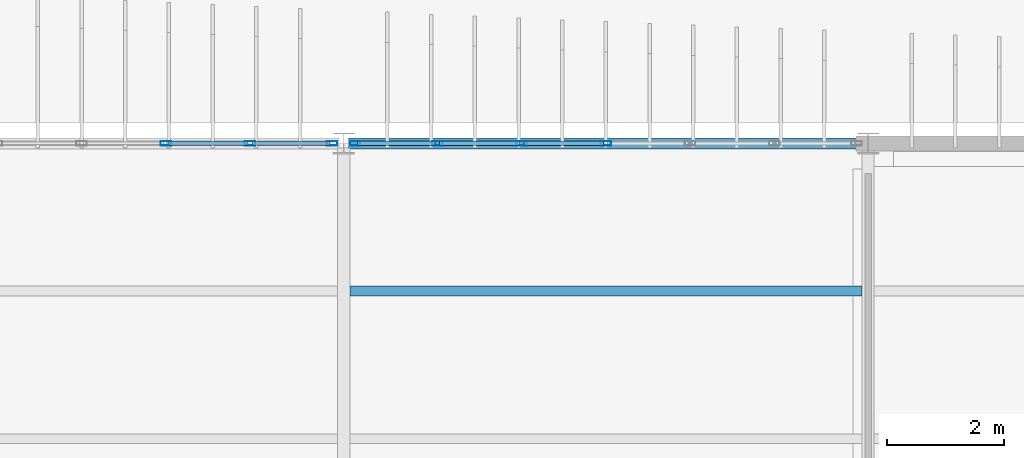
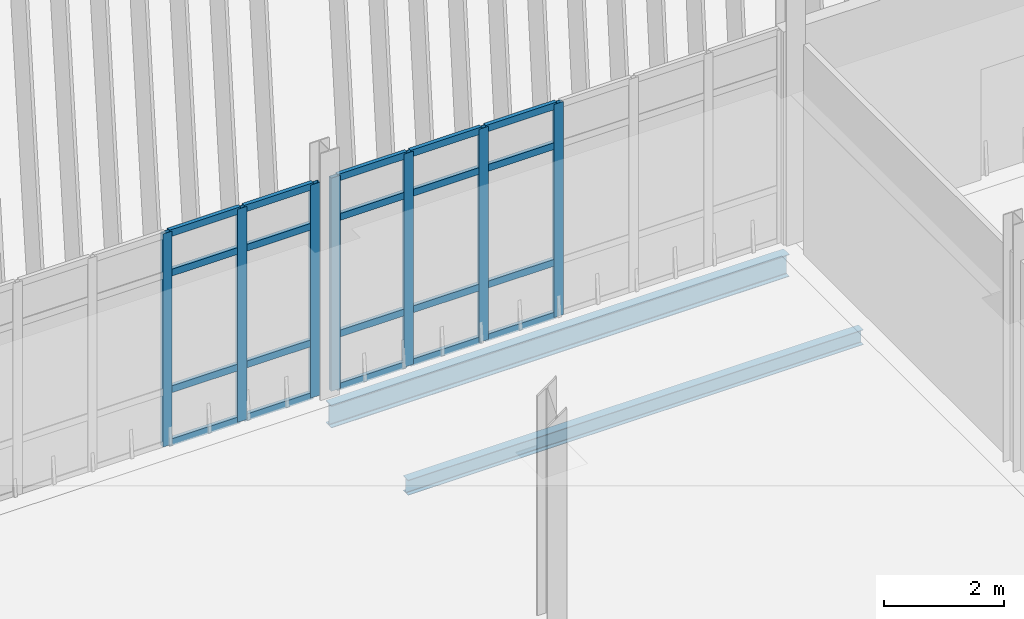
# One storey, part 48 of 161: 27 members, 2 beams, 2 elements without a shape of their own.
"""IFC4 building model written with IfcOpenShell, lengths in metres."""

import ifcopenshell
import ifcopenshell.guid

model = None  # the IFC model being written
_history = None  # IfcOwnerHistory: only IFC2X3 demands one
_inside = {}  # id of a spatial element -> (the spatial element, [elements in it])
_under = {}  # id of a project, library or spatial element -> (it, [spatial elements below it])
_declared = {}  # id of a project -> (the project, [libraries it declares])
_typed = {}  # id of a type object -> (the type object, [elements of that type])
_made_of = {}  # id of a material, layer set ... -> (it, [elements and type objects made of it])


def new_model(schema):
    """Start an empty IFC model of exactly this schema.

    Asked for "IFC4X3", IfcOpenShell would pick the latest addendum, in which some entities
    have other attributes; the version numbers below select the first issue.
    IFC2X3 requires an IfcOwnerHistory on every rooted entity: one is made here for all.
    """
    global model, _history
    if schema == "IFC4X3":
        model = ifcopenshell.file(schema_version=(4, 3, 0, 0))
    else:
        model = ifcopenshell.file(schema=schema)
    _inside.clear()
    _under.clear()
    _declared.clear()
    _typed.clear()
    _made_of.clear()
    _history = None
    if model.schema == "IFC2X3":
        org = make("IfcOrganization", Name="unknown")
        user = make(
            "IfcPersonAndOrganization",
            ThePerson=make("IfcPerson", FamilyName="unknown"),
            TheOrganization=org,
        )
        app = make(
            "IfcApplication",
            ApplicationDeveloper=org,
            Version="unknown",
            ApplicationFullName="unknown",
            ApplicationIdentifier="unknown",
        )
        _history = make(
            "IfcOwnerHistory",
            OwningUser=user,
            OwningApplication=app,
            ChangeAction="ADDED",
            CreationDate=0,
        )
    return model


def make(cls, **values):
    """One entity of the class cls with the attributes given. An attribute that is None is left unset."""
    return model.create_entity(
        cls, **{name: value for name, value in values.items() if value is not None}
    )


def rooted(cls, **values):
    """An entity with a GlobalId (a new one), such as an element, a storey or a relation."""
    return make(cls, GlobalId=ifcopenshell.guid.new(), OwnerHistory=_history, **values)


def si_unit(unit_type, name, prefix=None):
    """IfcSIUnit, for example si_unit("LENGTHUNIT", "METRE", prefix="MILLI")."""
    return make("IfcSIUnit", UnitType=unit_type, Prefix=prefix, Name=name)


def assignment(units):
    """IfcUnitAssignment: the units of a project."""
    return None if units is None else make("IfcUnitAssignment", Units=units)


def point(xyz):
    """IfcCartesianPoint."""
    return None if xyz is None else make("IfcCartesianPoint", Coordinates=xyz)


def direction(xyz):
    """IfcDirection."""
    return None if xyz is None else make("IfcDirection", DirectionRatios=xyz)


def frame(location, z_axis=None, x_axis=None):
    """IfcAxis2Placement3D, a coordinate frame: its origin and axes. An axis left out is left unset."""
    return make(
        "IfcAxis2Placement3D",
        Location=point(location),
        Axis=direction(z_axis),
        RefDirection=direction(x_axis),
    )


def frame_2d(location, x_axis=None):
    """IfcAxis2Placement2D, a coordinate frame in the plane: its origin and x axis."""
    return make(
        "IfcAxis2Placement2D", Location=point(location), RefDirection=direction(x_axis)
    )


def origin():
    """The frame at (0, 0, 0) with its axes left unset."""
    return frame((0.0, 0.0, 0.0))


def origin_2d():
    """The frame at (0, 0) in the plane with its x axis left unset."""
    return frame_2d((0.0, 0.0))


def place(relative_to, where):
    """IfcLocalPlacement: puts the frame where relative to a parent placement (None: the world)."""
    return make(
        "IfcLocalPlacement", PlacementRelTo=relative_to, RelativePlacement=where
    )


def context(
    kind, dimensions, precision=None, world=None, true_north=None, identifier=None
):
    """IfcGeometricRepresentationContext, for example the 3D "Model" context."""
    return make(
        "IfcGeometricRepresentationContext",
        ContextIdentifier=identifier,
        ContextType=kind,
        CoordinateSpaceDimension=dimensions,
        Precision=precision,
        WorldCoordinateSystem=world,
        TrueNorth=true_north,
    )


def subcontext(parent, identifier, kind, view, scale=None):
    """IfcGeometricRepresentationSubContext, for example "Body" below "Model"."""
    return make(
        "IfcGeometricRepresentationSubContext",
        ContextIdentifier=identifier,
        ContextType=kind,
        ParentContext=parent,
        TargetScale=scale,
        TargetView=view,
    )


def project(units=None, contexts=None):
    """IfcProject with its units and contexts."""
    return rooted(
        "IfcProject",
        Name="project",
        RepresentationContexts=contexts,
        UnitsInContext=assignment(units),
    )


def spatial(cls, under=None, at=None, **own):
    """A site, building, storey or space (cls), placed at a placement, below another one or the project."""
    s = rooted(cls, ObjectPlacement=at, **own)
    if under is not None:
        _under.setdefault(under.id(), (under, []))[1].append(s)
    return s


def profile(cls, at=None, kind="AREA", **sizes):
    """A parametric profile (cls). Its sizes go by their IFC names, for example OverallWidth=200.0."""
    return make(cls, ProfileType=kind, Position=at, **sizes)


def hollow_rectangle(**sizes):
    """IfcRectangleHollowProfileDef."""
    return profile("IfcRectangleHollowProfileDef", **sizes)


def i_section(**sizes):
    """IfcIShapeProfileDef."""
    return profile("IfcIShapeProfileDef", **sizes)


def extrude(swept, where, along, depth):
    """IfcExtrudedAreaSolid: the profile swept, set in the frame where, extruded along a direction by depth."""
    return make(
        "IfcExtrudedAreaSolid",
        SweptArea=swept,
        Position=where,
        ExtrudedDirection=direction(along),
        Depth=depth,
    )


def shape(context_of_items, identifier, shape_type, items):
    """IfcShapeRepresentation: the items that make up one representation, for example the "Body"."""
    return make(
        "IfcShapeRepresentation",
        ContextOfItems=context_of_items,
        RepresentationIdentifier=identifier,
        RepresentationType=shape_type,
        Items=items,
    )


def material(Name=None, Category=None):
    """IfcMaterial."""
    return make("IfcMaterial", Name=Name, Category=Category)


def material_profile(
    of_material, cross_section, Name=None, Category=None, Priority=None
):
    """IfcMaterialProfile: a cross section and its material."""
    return make(
        "IfcMaterialProfile",
        Name=Name,
        Material=of_material,
        Profile=cross_section,
        Priority=Priority,
        Category=Category,
    )


def profile_set(profiles, Name=None, composite=None):
    """IfcMaterialProfileSet."""
    return make(
        "IfcMaterialProfileSet",
        Name=Name,
        MaterialProfiles=profiles,
        CompositeProfile=composite,
    )


def made_of(thing, what):
    """Note that an element or type object is made of a material, layer set ...; save() writes the relation."""
    if what is not None:
        _made_of.setdefault(what.id(), (what, []))[1].append(thing)
    return thing


def type_object(cls, material=None, **own):
    """A type object (cls), such as IfcWallType, which elements share."""
    return made_of(rooted(cls, **own), material)


def element(
    cls,
    number,
    at=None,
    inside=None,
    cuts=None,
    type_object=None,
    material=None,
    context=None,
    identifier="Body",
    shape_type=None,
    held_by="IfcProductDefinitionShape",
    body=None,
    shapes=None,
    **own,
):
    """One element of the class cls, such as IfcWall. Its Tag is "e" and its number.

    at: its placement. inside: the storey or other place that contains it. cuts: it is an
    opening in that element (IfcRelVoidsElement). A single representation is given by context,
    identifier, shape_type and body (its items); several are given by shapes. held_by: the class
    of the entity that holds the representations. save() writes the other relations.
    """
    e = rooted(cls, Tag="e%d" % number, ObjectPlacement=at, **own)
    if body is not None:
        shapes = [shape(context, identifier, shape_type, body)]
    if shapes is not None:
        e.Representation = make(held_by, Representations=shapes)
    if inside is not None:
        _inside.setdefault(inside.id(), (inside, []))[1].append(e)
    if cuts is not None:
        rooted(
            "IfcRelVoidsElement", RelatingBuildingElement=cuts, RelatedOpeningElement=e
        )
    if type_object is not None:
        _typed.setdefault(type_object.id(), (type_object, []))[1].append(e)
    return made_of(e, material)


def aggregate(whole, parts):
    """IfcRelAggregates: a whole, such as a stair, and the parts it consists of."""
    return rooted("IfcRelAggregates", RelatingObject=whole, RelatedObjects=parts)


def save(model, path):
    """Write the relations noted so far, then the file.

    IfcRelAggregates (storeys below a building ...), IfcRelContainedInSpatialStructure (elements
    in a storey), IfcRelDefinesByType, IfcRelAssociatesMaterial and IfcRelDeclares: one each for
    every whole, place, type object, material and project.
    """
    for whole, parts in _under.values():
        aggregate(whole, parts)
    for where, things in _inside.values():
        rooted(
            "IfcRelContainedInSpatialStructure",
            RelatedElements=things,
            RelatingStructure=where,
        )
    for kind, things in _typed.values():
        rooted("IfcRelDefinesByType", RelatedObjects=things, RelatingType=kind)
    for what, things in _made_of.values():
        rooted("IfcRelAssociatesMaterial", RelatedObjects=things, RelatingMaterial=what)
    for by, libraries in _declared.values():
        rooted("IfcRelDeclares", RelatingContext=by, RelatedDefinitions=libraries)
    model.write(path)


model = new_model("IFC4")

# Units and contexts
model_context = context("Model", 3, precision=1e-05, world=origin(), true_north=direction((0.0, 1.0)))
body_context = subcontext(model_context, "Body", "Model", "MODEL_VIEW")
ifc_project = project(units=[si_unit("LENGTHUNIT", "METRE"), si_unit("AREAUNIT", "SQUARE_METRE"), si_unit("VOLUMEUNIT", "CUBIC_METRE"), si_unit("PLANEANGLEUNIT", "RADIAN"), si_unit("MASSUNIT", "GRAM", prefix="KILO")], contexts=[model_context])

# Site, building, storey
site_placement = place(None, origin())
site = spatial("IfcSite", under=ifc_project, at=site_placement, CompositionType="ELEMENT")
building_placement = place(site_placement, origin())
building = spatial("IfcBuilding", under=site, at=building_placement, Name="Caisbarro Railhouse Central Library", CompositionType="ELEMENT")
storey_placement = place(building_placement, origin())
storey = spatial("IfcBuildingStorey", under=building, at=storey_placement, Name="L00", CompositionType="ELEMENT", Elevation=0.0)

# Beams
ifc_material_1 = material(Name="Steel ASTM A572 Grade 50", Category="steel")
ifc_material_profile_1 = material_profile(ifc_material_1, i_section(OverallWidth=0.1650390625, OverallDepth=0.31005859375, WebThickness=0.005859375, FlangeThickness=0.009765625, FilletRadius=0.011962890625, at=origin_2d()), Name="W310X38.7")
ifc_profile_set_1 = profile_set([ifc_material_profile_1], Name="Steel ASTM A572 Grade 50")
beam_type_1 = type_object("IfcBeamType", Name="BM-J03", PredefinedType="JOIST", material=ifc_profile_set_1)
beam_1_placement = place(storey_placement, frame((27.1044921875, 58.2666015625, -0.405029296875), z_axis=(1.0, 0.0, 0.0), x_axis=(0.0, 1.0, 0.0)))
element("IfcBeam", 1, at=beam_1_placement, inside=storey, type_object=beam_type_1, Name="J03 beam L00 #350", PredefinedType="JOIST", context=body_context, shape_type="SweptSolid", body=[
    extrude(i_section(OverallWidth=0.1650390625, OverallDepth=0.31005859375, WebThickness=0.005859375, FlangeThickness=0.009765625, FilletRadius=0.011962890625, at=origin_2d()), origin(), (0.0, 0.0, 1.0), 8.791015625),
])
ifc_material_profile_2 = material_profile(ifc_material_1, i_section(OverallWidth=0.18994140625, OverallDepth=0.45703125, WebThickness=0.009033203125, FlangeThickness=0.014404296875, FilletRadius=0.01806640625, at=origin_2d()), Name="W460X74.0")
ifc_profile_set_2 = profile_set([ifc_material_profile_2], Name="Steel ASTM A572 Grade 50")
beam_type_2 = type_object("IfcBeamType", Name="BM-SP01", PredefinedType="SPANDREL", material=ifc_profile_set_2)
beam_2_placement = place(storey_placement, frame((27.080078125, 60.800048828125, -0.478515625), z_axis=(1.0, 0.0, 0.0), x_axis=(0.0, 1.0, 0.0)))
element("IfcBeam", 2, at=beam_2_placement, inside=storey, type_object=beam_type_2, Name="SP01 beam L00 #278", PredefinedType="SPANDREL", context=body_context, shape_type="SweptSolid", body=[
    extrude(i_section(OverallWidth=0.18994140625, OverallDepth=0.45703125, WebThickness=0.009033203125, FlangeThickness=0.014404296875, FilletRadius=0.01806640625, at=origin_2d()), origin(), (0.0, 0.0, 1.0), 8.83984375),
])

# Curtain wall, members
ifc_material_2 = material(Name="Anodised architectural aluminium", Category="aluminium")
curtain_wall_type = type_object("IfcCurtainWallType", Name="CW-CW01", PredefinedType="NOTDEFINED", material=ifc_material_2)
curtain_wall_1_placement = place(storey_placement, origin())
curtain_wall_1 = element("IfcCurtainWall", 3, at=curtain_wall_1_placement, inside=storey, type_object=curtain_wall_type, Name="CW01 curtain wall L00 #6", PredefinedType="NOTDEFINED")
ifc_material_profile_3 = material_profile(ifc_material_2, hollow_rectangle(XDim=0.074951171875, YDim=0.179931640625, WallThickness=0.00439453125, at=origin_2d()), Name="ALU-MUL-75X180")
ifc_profile_set_3 = profile_set([ifc_material_profile_3], Name="Anodised architectural aluminium")
member_type_1 = type_object("IfcMemberType", Name="CWM-M01", PredefinedType="MULLION", material=ifc_profile_set_3)
member_1_placement = place(storey_placement, frame((23.94677734375, 60.800048828125, 0.0), z_axis=(0.0, 0.0, 1.0), x_axis=(0.0, 1.0, 0.0)))
member_1 = element("IfcMember", 4, at=member_1_placement, type_object=member_type_1, Name="CW01 mullion 5", PredefinedType="MULLION", context=body_context, shape_type="SweptSolid", body=[
    extrude(hollow_rectangle(XDim=0.074951171875, YDim=0.179931640625, WallThickness=0.00439453125, at=origin_2d()), origin(), (0.0, 0.0, 1.0), 4.35009765625),
])
member_2_placement = place(storey_placement, frame((25.393310546875, 60.800048828125, 0.0), z_axis=(0.0, 0.0, 1.0), x_axis=(0.0, 1.0, 0.0)))
member_2 = element("IfcMember", 5, at=member_2_placement, type_object=member_type_1, Name="CW01 mullion 6", PredefinedType="MULLION", context=body_context, shape_type="SweptSolid", body=[
    extrude(hollow_rectangle(XDim=0.074951171875, YDim=0.179931640625, WallThickness=0.00439453125, at=origin_2d()), origin(), (0.0, 0.0, 1.0), 4.35009765625),
])
member_3_placement = place(storey_placement, frame((26.802490234375, 60.800048828125, 0.0), z_axis=(0.0, 0.0, 1.0), x_axis=(0.0, 1.0, 0.0)))
member_3 = element("IfcMember", 6, at=member_3_placement, type_object=member_type_1, Name="CW01 mullion 7", PredefinedType="MULLION", context=body_context, shape_type="SweptSolid", body=[
    extrude(hollow_rectangle(XDim=0.074951171875, YDim=0.179931640625, WallThickness=0.00439453125, at=origin_2d()), origin(), (0.0, 0.0, 1.0), 4.35009765625),
])

curtain_wall_2_placement = place(storey_placement, origin())
curtain_wall_2 = element("IfcCurtainWall", 7, at=curtain_wall_2_placement, inside=storey, type_object=curtain_wall_type, Name="CW01 curtain wall L00 #9", PredefinedType="NOTDEFINED")
member_4_placement = place(storey_placement, frame((27.197509765625, 60.800048828125, 0.0), z_axis=(0.0, 0.0, 1.0), x_axis=(0.0, 1.0, 0.0)))
member_4 = element("IfcMember", 8, at=member_4_placement, type_object=member_type_1, Name="CW01 mullion 1", PredefinedType="MULLION", context=body_context, shape_type="SweptSolid", body=[
    extrude(hollow_rectangle(XDim=0.074951171875, YDim=0.179931640625, WallThickness=0.00439453125, at=origin_2d()), origin(), (0.0, 0.0, 1.0), 4.35009765625),
])
member_5_placement = place(storey_placement, frame((28.606689453125, 60.800048828125, 0.0), z_axis=(0.0, 0.0, 1.0), x_axis=(0.0, 1.0, 0.0)))
member_5 = element("IfcMember", 9, at=member_5_placement, type_object=member_type_1, Name="CW01 mullion 2", PredefinedType="MULLION", context=body_context, shape_type="SweptSolid", body=[
    extrude(hollow_rectangle(XDim=0.074951171875, YDim=0.179931640625, WallThickness=0.00439453125, at=origin_2d()), origin(), (0.0, 0.0, 1.0), 4.35009765625),
])
member_6_placement = place(storey_placement, frame((30.05322265625, 60.800048828125, 0.0), z_axis=(0.0, 0.0, 1.0), x_axis=(0.0, 1.0, 0.0)))
member_6 = element("IfcMember", 10, at=member_6_placement, type_object=member_type_1, Name="CW01 mullion 3", PredefinedType="MULLION", context=body_context, shape_type="SweptSolid", body=[
    extrude(hollow_rectangle(XDim=0.074951171875, YDim=0.179931640625, WallThickness=0.00439453125, at=origin_2d()), origin(), (0.0, 0.0, 1.0), 4.35009765625),
])
member_7_placement = place(storey_placement, frame((31.5, 60.800048828125, 0.0), z_axis=(0.0, 0.0, 1.0), x_axis=(0.0, 1.0, 0.0)))
member_7 = element("IfcMember", 11, at=member_7_placement, type_object=member_type_1, Name="CW01 mullion 4", PredefinedType="MULLION", context=body_context, shape_type="SweptSolid", body=[
    extrude(hollow_rectangle(XDim=0.074951171875, YDim=0.179931640625, WallThickness=0.00439453125, at=origin_2d()), origin(), (0.0, 0.0, 1.0), 4.35009765625),
])

# Member
ifc_material_profile_4 = material_profile(ifc_material_2, hollow_rectangle(XDim=0.074951171875, YDim=0.139892578125, WallThickness=0.00390625, at=origin_2d()), Name="ALU-TRN-75X140")
ifc_profile_set_4 = profile_set([ifc_material_profile_4], Name="Anodised architectural aluminium")
member_type_2 = type_object("IfcMemberType", Name="CWT-T01", PredefinedType="USERDEFINED", material=ifc_profile_set_4)
member_8_placement = place(storey_placement, frame((23.984130859375, 60.800048828125, 0.03759765625), z_axis=(1.0, 0.0, 0.0), x_axis=(0.0, 1.0, 0.0)))
member_8 = element("IfcMember", 12, at=member_8_placement, type_object=member_type_2, Name="CW01 transom 5.1", ObjectType="TRANSOM", PredefinedType="USERDEFINED", context=body_context, shape_type="SweptSolid", body=[
    extrude(hollow_rectangle(XDim=0.074951171875, YDim=0.139892578125, WallThickness=0.00390625, at=origin_2d()), origin(), (0.0, 0.0, 1.0), 1.37158203125),
])

member_9_placement = place(storey_placement, frame((23.984130859375, 60.800048828125, 1.1201171875), z_axis=(1.0, 0.0, 0.0), x_axis=(0.0, 1.0, 0.0)))
member_9 = element("IfcMember", 13, at=member_9_placement, type_object=member_type_2, Name="CW01 transom 5.2", ObjectType="TRANSOM", PredefinedType="USERDEFINED", context=body_context, shape_type="SweptSolid", body=[
    extrude(hollow_rectangle(XDim=0.074951171875, YDim=0.139892578125, WallThickness=0.00390625, at=origin_2d()), origin(), (0.0, 0.0, 1.0), 1.37158203125),
])

member_10_placement = place(storey_placement, frame((23.984130859375, 60.800048828125, 3.5), z_axis=(1.0, 0.0, 0.0), x_axis=(0.0, 1.0, 0.0)))
member_10 = element("IfcMember", 14, at=member_10_placement, type_object=member_type_2, Name="CW01 transom 5.3", ObjectType="TRANSOM", PredefinedType="USERDEFINED", context=body_context, shape_type="SweptSolid", body=[
    extrude(hollow_rectangle(XDim=0.074951171875, YDim=0.139892578125, WallThickness=0.00390625, at=origin_2d()), origin(), (0.0, 0.0, 1.0), 1.37158203125),
])

member_11_placement = place(storey_placement, frame((23.984130859375, 60.800048828125, 4.3125), z_axis=(1.0, 0.0, 0.0), x_axis=(0.0, 1.0, 0.0)))
member_11 = element("IfcMember", 15, at=member_11_placement, type_object=member_type_2, Name="CW01 transom 5.4", ObjectType="TRANSOM", PredefinedType="USERDEFINED", context=body_context, shape_type="SweptSolid", body=[
    extrude(hollow_rectangle(XDim=0.074951171875, YDim=0.139892578125, WallThickness=0.00390625, at=origin_2d()), origin(), (0.0, 0.0, 1.0), 1.37158203125),
])

member_12_placement = place(storey_placement, frame((25.430908203125, 60.800048828125, 0.03759765625), z_axis=(1.0, 0.0, 0.0), x_axis=(0.0, 1.0, 0.0)))
member_12 = element("IfcMember", 16, at=member_12_placement, type_object=member_type_2, Name="CW01 transom 6.1", ObjectType="TRANSOM", PredefinedType="USERDEFINED", context=body_context, shape_type="SweptSolid", body=[
    extrude(hollow_rectangle(XDim=0.074951171875, YDim=0.139892578125, WallThickness=0.00390625, at=origin_2d()), origin(), (0.0, 0.0, 1.0), 1.333984375),
])

member_13_placement = place(storey_placement, frame((25.430908203125, 60.800048828125, 1.1201171875), z_axis=(1.0, 0.0, 0.0), x_axis=(0.0, 1.0, 0.0)))
member_13 = element("IfcMember", 17, at=member_13_placement, type_object=member_type_2, Name="CW01 transom 6.2", ObjectType="TRANSOM", PredefinedType="USERDEFINED", context=body_context, shape_type="SweptSolid", body=[
    extrude(hollow_rectangle(XDim=0.074951171875, YDim=0.139892578125, WallThickness=0.00390625, at=origin_2d()), origin(), (0.0, 0.0, 1.0), 1.333984375),
])

member_14_placement = place(storey_placement, frame((25.430908203125, 60.800048828125, 3.5), z_axis=(1.0, 0.0, 0.0), x_axis=(0.0, 1.0, 0.0)))
member_14 = element("IfcMember", 18, at=member_14_placement, type_object=member_type_2, Name="CW01 transom 6.3", ObjectType="TRANSOM", PredefinedType="USERDEFINED", context=body_context, shape_type="SweptSolid", body=[
    extrude(hollow_rectangle(XDim=0.074951171875, YDim=0.139892578125, WallThickness=0.00390625, at=origin_2d()), origin(), (0.0, 0.0, 1.0), 1.333984375),
])

member_15_placement = place(storey_placement, frame((25.430908203125, 60.800048828125, 4.3125), z_axis=(1.0, 0.0, 0.0), x_axis=(0.0, 1.0, 0.0)))
member_15 = element("IfcMember", 19, at=member_15_placement, type_object=member_type_2, Name="CW01 transom 6.4", ObjectType="TRANSOM", PredefinedType="USERDEFINED", context=body_context, shape_type="SweptSolid", body=[
    extrude(hollow_rectangle(XDim=0.074951171875, YDim=0.139892578125, WallThickness=0.00390625, at=origin_2d()), origin(), (0.0, 0.0, 1.0), 1.333984375),
])

aggregate(curtain_wall_1, [member_1, member_2, member_3, member_8, member_9, member_10, member_11, member_12, member_13, member_14, member_15])

member_16_placement = place(storey_placement, frame((27.235107421875, 60.800048828125, 0.03759765625), z_axis=(1.0, 0.0, 0.0), x_axis=(0.0, 1.0, 0.0)))
member_16 = element("IfcMember", 20, at=member_16_placement, type_object=member_type_2, Name="CW01 transom 1.1", ObjectType="TRANSOM", PredefinedType="USERDEFINED", context=body_context, shape_type="SweptSolid", body=[
    extrude(hollow_rectangle(XDim=0.074951171875, YDim=0.139892578125, WallThickness=0.00390625, at=origin_2d()), origin(), (0.0, 0.0, 1.0), 1.333984375),
])

member_17_placement = place(storey_placement, frame((27.235107421875, 60.800048828125, 1.1201171875), z_axis=(1.0, 0.0, 0.0), x_axis=(0.0, 1.0, 0.0)))
member_17 = element("IfcMember", 21, at=member_17_placement, type_object=member_type_2, Name="CW01 transom 1.2", ObjectType="TRANSOM", PredefinedType="USERDEFINED", context=body_context, shape_type="SweptSolid", body=[
    extrude(hollow_rectangle(XDim=0.074951171875, YDim=0.139892578125, WallThickness=0.00390625, at=origin_2d()), origin(), (0.0, 0.0, 1.0), 1.333984375),
])

member_18_placement = place(storey_placement, frame((27.235107421875, 60.800048828125, 3.5), z_axis=(1.0, 0.0, 0.0), x_axis=(0.0, 1.0, 0.0)))
member_18 = element("IfcMember", 22, at=member_18_placement, type_object=member_type_2, Name="CW01 transom 1.3", ObjectType="TRANSOM", PredefinedType="USERDEFINED", context=body_context, shape_type="SweptSolid", body=[
    extrude(hollow_rectangle(XDim=0.074951171875, YDim=0.139892578125, WallThickness=0.00390625, at=origin_2d()), origin(), (0.0, 0.0, 1.0), 1.333984375),
])

member_19_placement = place(storey_placement, frame((27.235107421875, 60.800048828125, 4.3125), z_axis=(1.0, 0.0, 0.0), x_axis=(0.0, 1.0, 0.0)))
member_19 = element("IfcMember", 23, at=member_19_placement, type_object=member_type_2, Name="CW01 transom 1.4", ObjectType="TRANSOM", PredefinedType="USERDEFINED", context=body_context, shape_type="SweptSolid", body=[
    extrude(hollow_rectangle(XDim=0.074951171875, YDim=0.139892578125, WallThickness=0.00390625, at=origin_2d()), origin(), (0.0, 0.0, 1.0), 1.333984375),
])

member_20_placement = place(storey_placement, frame((28.644287109375, 60.800048828125, 0.03759765625), z_axis=(1.0, 0.0, 0.0), x_axis=(0.0, 1.0, 0.0)))
member_20 = element("IfcMember", 24, at=member_20_placement, type_object=member_type_2, Name="CW01 transom 2.1", ObjectType="TRANSOM", PredefinedType="USERDEFINED", context=body_context, shape_type="SweptSolid", body=[
    extrude(hollow_rectangle(XDim=0.074951171875, YDim=0.139892578125, WallThickness=0.00390625, at=origin_2d()), origin(), (0.0, 0.0, 1.0), 1.37158203125),
])

member_21_placement = place(storey_placement, frame((28.644287109375, 60.800048828125, 1.1201171875), z_axis=(1.0, 0.0, 0.0), x_axis=(0.0, 1.0, 0.0)))
member_21 = element("IfcMember", 25, at=member_21_placement, type_object=member_type_2, Name="CW01 transom 2.2", ObjectType="TRANSOM", PredefinedType="USERDEFINED", context=body_context, shape_type="SweptSolid", body=[
    extrude(hollow_rectangle(XDim=0.074951171875, YDim=0.139892578125, WallThickness=0.00390625, at=origin_2d()), origin(), (0.0, 0.0, 1.0), 1.37158203125),
])

member_22_placement = place(storey_placement, frame((28.644287109375, 60.800048828125, 3.5), z_axis=(1.0, 0.0, 0.0), x_axis=(0.0, 1.0, 0.0)))
member_22 = element("IfcMember", 26, at=member_22_placement, type_object=member_type_2, Name="CW01 transom 2.3", ObjectType="TRANSOM", PredefinedType="USERDEFINED", context=body_context, shape_type="SweptSolid", body=[
    extrude(hollow_rectangle(XDim=0.074951171875, YDim=0.139892578125, WallThickness=0.00390625, at=origin_2d()), origin(), (0.0, 0.0, 1.0), 1.37158203125),
])

member_23_placement = place(storey_placement, frame((28.644287109375, 60.800048828125, 4.3125), z_axis=(1.0, 0.0, 0.0), x_axis=(0.0, 1.0, 0.0)))
member_23 = element("IfcMember", 27, at=member_23_placement, type_object=member_type_2, Name="CW01 transom 2.4", ObjectType="TRANSOM", PredefinedType="USERDEFINED", context=body_context, shape_type="SweptSolid", body=[
    extrude(hollow_rectangle(XDim=0.074951171875, YDim=0.139892578125, WallThickness=0.00390625, at=origin_2d()), origin(), (0.0, 0.0, 1.0), 1.37158203125),
])

member_24_placement = place(storey_placement, frame((30.0908203125, 60.800048828125, 0.03759765625), z_axis=(1.0, 0.0, 0.0), x_axis=(0.0, 1.0, 0.0)))
member_24 = element("IfcMember", 28, at=member_24_placement, type_object=member_type_2, Name="CW01 transom 3.1", ObjectType="TRANSOM", PredefinedType="USERDEFINED", context=body_context, shape_type="SweptSolid", body=[
    extrude(hollow_rectangle(XDim=0.074951171875, YDim=0.139892578125, WallThickness=0.00390625, at=origin_2d()), origin(), (0.0, 0.0, 1.0), 1.37158203125),
])

member_25_placement = place(storey_placement, frame((30.0908203125, 60.800048828125, 1.1201171875), z_axis=(1.0, 0.0, 0.0), x_axis=(0.0, 1.0, 0.0)))
member_25 = element("IfcMember", 29, at=member_25_placement, type_object=member_type_2, Name="CW01 transom 3.2", ObjectType="TRANSOM", PredefinedType="USERDEFINED", context=body_context, shape_type="SweptSolid", body=[
    extrude(hollow_rectangle(XDim=0.074951171875, YDim=0.139892578125, WallThickness=0.00390625, at=origin_2d()), origin(), (0.0, 0.0, 1.0), 1.37158203125),
])

member_26_placement = place(storey_placement, frame((30.0908203125, 60.800048828125, 3.5), z_axis=(1.0, 0.0, 0.0), x_axis=(0.0, 1.0, 0.0)))
member_26 = element("IfcMember", 30, at=member_26_placement, type_object=member_type_2, Name="CW01 transom 3.3", ObjectType="TRANSOM", PredefinedType="USERDEFINED", context=body_context, shape_type="SweptSolid", body=[
    extrude(hollow_rectangle(XDim=0.074951171875, YDim=0.139892578125, WallThickness=0.00390625, at=origin_2d()), origin(), (0.0, 0.0, 1.0), 1.37158203125),
])

member_27_placement = place(storey_placement, frame((30.0908203125, 60.800048828125, 4.3125), z_axis=(1.0, 0.0, 0.0), x_axis=(0.0, 1.0, 0.0)))
member_27 = element("IfcMember", 31, at=member_27_placement, type_object=member_type_2, Name="CW01 transom 3.4", ObjectType="TRANSOM", PredefinedType="USERDEFINED", context=body_context, shape_type="SweptSolid", body=[
    extrude(hollow_rectangle(XDim=0.074951171875, YDim=0.139892578125, WallThickness=0.00390625, at=origin_2d()), origin(), (0.0, 0.0, 1.0), 1.37158203125),
])

aggregate(curtain_wall_2, [member_4, member_5, member_6, member_7, member_16, member_17, member_18, member_19, member_20, member_21, member_22, member_23, member_24, member_25, member_26, member_27])

save(model, "model.ifc")
